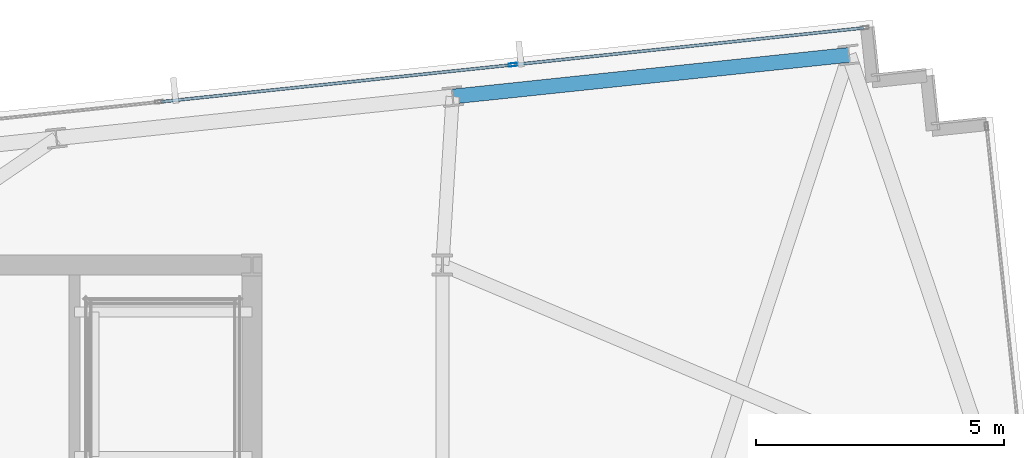
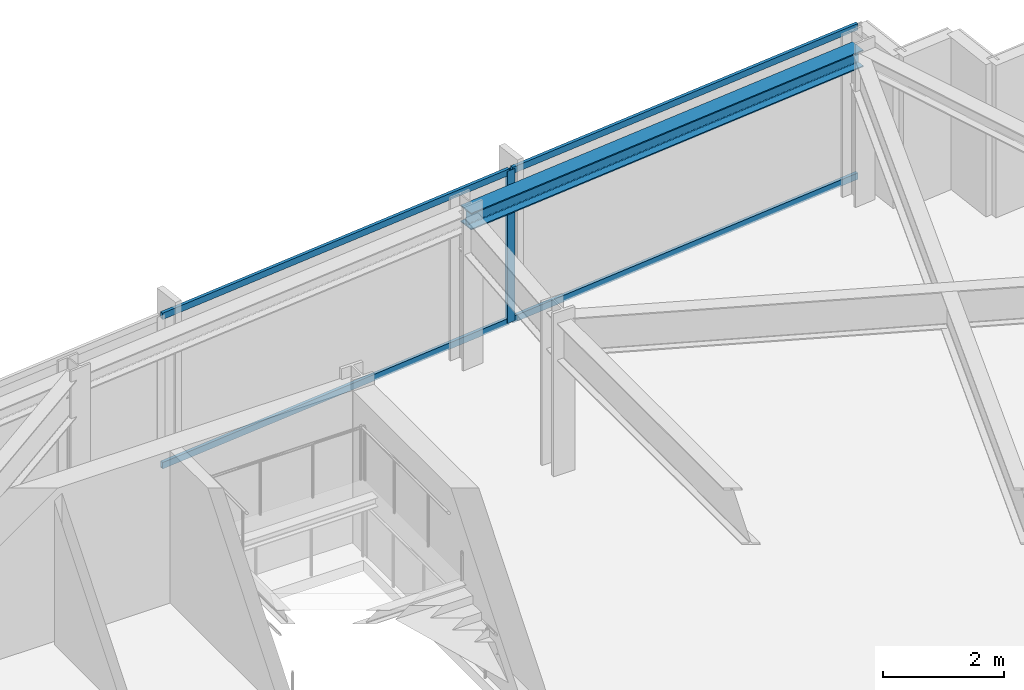
# One storey, part 24 of 33: 5 members, 1 beam, 1 element without a shape of its own.
"""IFC4 building model written with IfcOpenShell, lengths in metres."""

from ifc_helpers import new_model, si_unit, direction, frame, origin, origin_2d, place, context, subcontext, project, spatial, hollow_rectangle, i_section, extrude, material, material_profile, profile_set, type_object, element, aggregate, save


model = new_model("IFC4")

# Units and contexts
model_context = context("Model", 3, precision=1e-05, world=origin(), true_north=direction((0.0, 1.0)))
body_context = subcontext(model_context, "Body", "Model", "MODEL_VIEW")
ifc_project = project(units=[si_unit("LENGTHUNIT", "METRE"), si_unit("AREAUNIT", "SQUARE_METRE"), si_unit("VOLUMEUNIT", "CUBIC_METRE"), si_unit("PLANEANGLEUNIT", "RADIAN"), si_unit("MASSUNIT", "GRAM", prefix="KILO")], contexts=[model_context])

# Site, building, storey
site_placement = place(None, origin())
site = spatial("IfcSite", under=ifc_project, at=site_placement, CompositionType="ELEMENT")
building_placement = place(site_placement, origin())
building = spatial("IfcBuilding", under=site, at=building_placement, Name="Yelkora Congress Tower", CompositionType="ELEMENT")
storey_placement = place(building_placement, frame((0.0, 0.0, 224.300048828125)))
storey = spatial("IfcBuildingStorey", under=building, at=storey_placement, Name="L62", CompositionType="ELEMENT", Elevation=224.300048828125)

# Beam
ifc_material_1 = material(Name="Steel S355J2", Category="steel")
ifc_material_profile_1 = material_profile(ifc_material_1, i_section(OverallWidth=0.300048828125, OverallDepth=0.340087890625, WebThickness=0.011962890625, FlangeThickness=0.021484375, FilletRadius=0.027099609375, at=origin_2d()), Name="HEB 340")
ifc_profile_set_1 = profile_set([ifc_material_profile_1], Name="Steel S355J2")
beam_type = type_object("IfcBeamType", Name="BM-SPAN-HEB340", PredefinedType="SPANDREL", material=ifc_profile_set_1)
beam_placement = place(storey_placement, frame((65.7958984375, 50.4365234375, 2.909912109375), z_axis=(-0.994520097542, -0.104545567032, 0.0), x_axis=(0.104545567032, -0.994520097542, 0.0)))
element("IfcBeam", 1, at=beam_placement, inside=storey, type_object=beam_type, Name="L62 Perimeter Beam 13", PredefinedType="SPANDREL", context=body_context, shape_type="SweptSolid", body=[
    extrude(i_section(OverallWidth=0.300048828125, OverallDepth=0.340087890625, WebThickness=0.011962890625, FlangeThickness=0.021484375, FilletRadius=0.027099609375, at=origin_2d()), origin(), (0.0, 0.0, 1.0), 8.033203125),
])

# Curtain wall, members
ifc_material_2 = material(Name="Anodised aluminium and insulated glass", Category="aluminium")
curtain_wall_type = type_object("IfcCurtainWallType", Name="CW-SYS-B4", PredefinedType="NOTDEFINED", material=ifc_material_2)
curtain_wall_placement = place(storey_placement, origin())
curtain_wall = element("IfcCurtainWall", 2, at=curtain_wall_placement, inside=storey, type_object=curtain_wall_type, Name="L62 Unitised Curtain Wall 10 (3)", PredefinedType="NOTDEFINED")
ifc_material_3 = material(Name="Anodised aluminium 6063-T6", Category="aluminium")
ifc_material_profile_2 = material_profile(ifc_material_3, hollow_rectangle(XDim=0.06494140625, YDim=0.159912109375, WallThickness=0.00390625, at=origin_2d()), Name="ALU 65x160x4")
ifc_profile_set_2 = profile_set([ifc_material_profile_2], Name="Anodised aluminium 6063-T6")
member_type_1 = type_object("IfcMemberType", Name="MEM-ML-B4", PredefinedType="MULLION", material=ifc_profile_set_2)
member_1_placement = place(storey_placement, frame((59.019775390625, 50.237060546875, 0.0), z_axis=(0.0, 0.0, 1.0), x_axis=(-0.104527724021, 0.994521973066, 0.0)))
member_1 = element("IfcMember", 3, at=member_1_placement, type_object=member_type_1, Name="CW-B4 mullion 6", PredefinedType="MULLION", context=body_context, shape_type="SweptSolid", body=[
    extrude(hollow_rectangle(XDim=0.06494140625, YDim=0.159912109375, WallThickness=0.00390625, at=origin_2d()), origin(), (0.0, 0.0, 1.0), 3.079833984375),
])
ifc_material_profile_3 = material_profile(ifc_material_3, hollow_rectangle(XDim=0.06005859375, YDim=0.1298828125, WallThickness=0.00390625, at=origin_2d()), Name="ALU 60x130x4")
ifc_profile_set_3 = profile_set([ifc_material_profile_3], Name="Anodised aluminium 6063-T6")
member_type_2 = type_object("IfcMemberType", Name="MEM-TR-B4", PredefinedType="USERDEFINED", material=ifc_profile_set_3)
member_2_placement = place(storey_placement, frame((51.92138671875, 49.490966796875, 0.030029296875), z_axis=(0.99452200925, 0.104527379751, 0.0), x_axis=(-0.104527379751, 0.99452200925, 0.0)))
member_2 = element("IfcMember", 4, at=member_2_placement, type_object=member_type_2, Name="CW-B4 transom 5.1", ObjectType="TRANSOM", PredefinedType="USERDEFINED", context=body_context, shape_type="SweptSolid", body=[
    extrude(hollow_rectangle(XDim=0.06005859375, YDim=0.1298828125, WallThickness=0.00390625, at=origin_2d()), origin(), (0.0, 0.0, 1.0), 7.10498046875),
])
member_3_placement = place(storey_placement, frame((51.92138671875, 49.490966796875, 3.050048828125), z_axis=(0.99452200925, 0.104527379751, 0.0), x_axis=(-0.104527379751, 0.99452200925, 0.0)))
member_3 = element("IfcMember", 5, at=member_3_placement, type_object=member_type_2, Name="CW-B4 transom 5.2", ObjectType="TRANSOM", PredefinedType="USERDEFINED", context=body_context, shape_type="SweptSolid", body=[
    extrude(hollow_rectangle(XDim=0.06005859375, YDim=0.1298828125, WallThickness=0.00390625, at=origin_2d()), origin(), (0.0, 0.0, 1.0), 7.10498046875),
])
member_4_placement = place(storey_placement, frame((59.052001953125, 50.240478515625, 0.030029296875), z_axis=(0.994522462765, 0.104523064706, 0.0), x_axis=(-0.104523064706, 0.994522462765, 0.0)))
member_4 = element("IfcMember", 6, at=member_4_placement, type_object=member_type_2, Name="CW-B4 transom 6.1", ObjectType="TRANSOM", PredefinedType="USERDEFINED", context=body_context, shape_type="SweptSolid", body=[
    extrude(hollow_rectangle(XDim=0.06005859375, YDim=0.1298828125, WallThickness=0.00390625, at=origin_2d()), origin(), (0.0, 0.0, 1.0), 7.07275390625),
])
member_5_placement = place(storey_placement, frame((59.052001953125, 50.240478515625, 3.050048828125), z_axis=(0.994522462765, 0.104523064706, 0.0), x_axis=(-0.104523064706, 0.994522462765, 0.0)))
member_5 = element("IfcMember", 7, at=member_5_placement, type_object=member_type_2, Name="CW-B4 transom 6.2", ObjectType="TRANSOM", PredefinedType="USERDEFINED", context=body_context, shape_type="SweptSolid", body=[
    extrude(hollow_rectangle(XDim=0.06005859375, YDim=0.1298828125, WallThickness=0.00390625, at=origin_2d()), origin(), (0.0, 0.0, 1.0), 7.07275390625),
])
aggregate(curtain_wall, [member_1, member_2, member_3, member_4, member_5])

save(model, "model.ifc")
